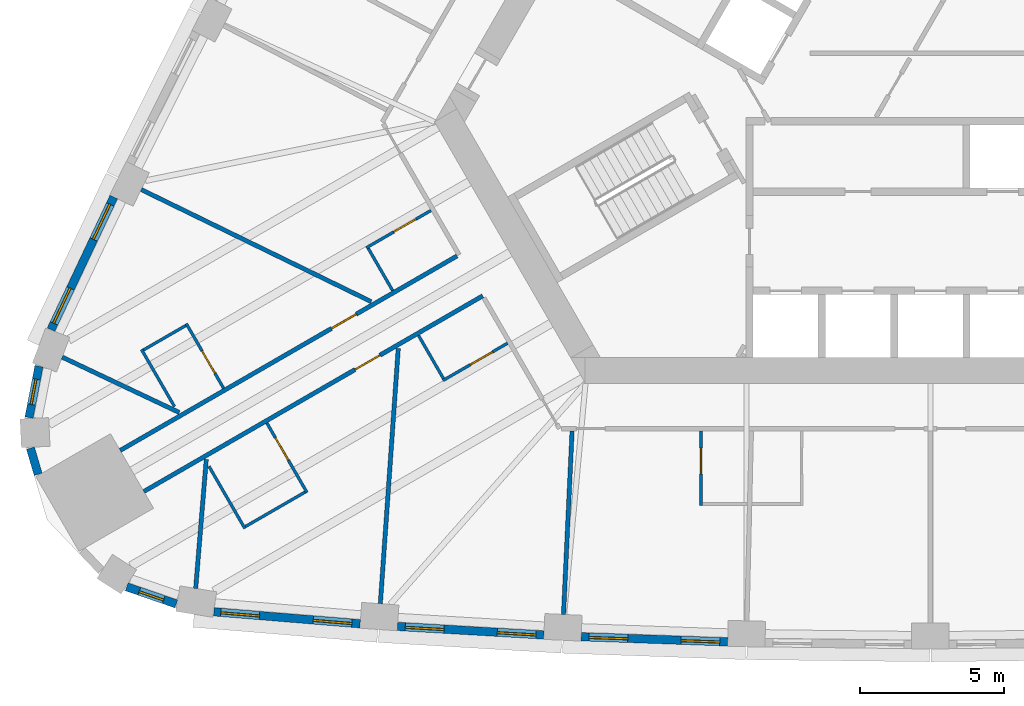
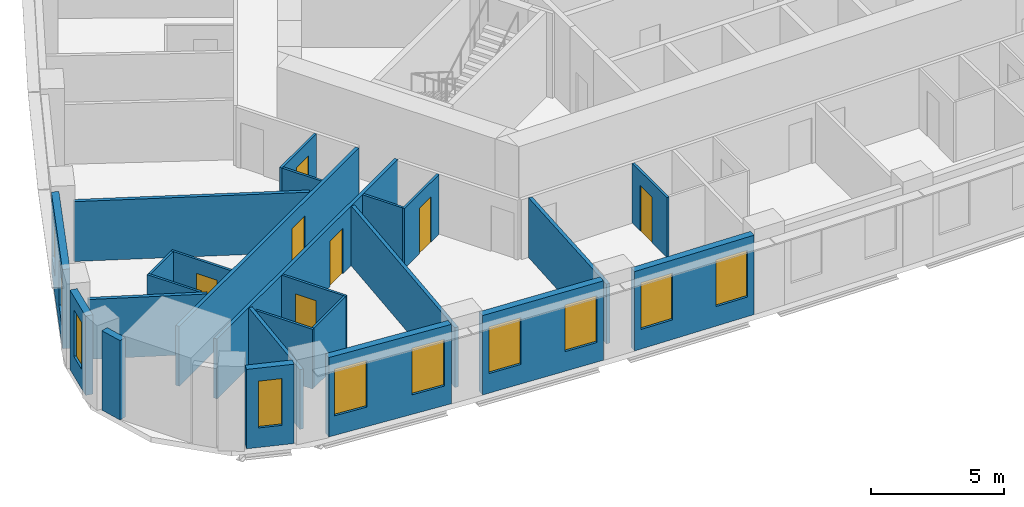
# One storey, part 3 of 13: 25 walls, 10 windows, 7 doors, 17 openings.
"""IFC4 building model written with IfcOpenShell, lengths in metres."""

from ifc_helpers import new_model, si_unit, direction, frame, frame_2d, origin, place, context, subcontext, project, spatial, rectangle, extrude, material, layer, layer_set, type_object, element, fill, save


model = new_model("IFC4")

# Units and contexts
model_context = context("Model", 3, precision=1e-05, world=origin(), true_north=direction((0.0, 1.0)))
body_context = subcontext(model_context, "Body", "Model", "MODEL_VIEW")
ifc_project = project(units=[si_unit("LENGTHUNIT", "METRE"), si_unit("AREAUNIT", "SQUARE_METRE"), si_unit("VOLUMEUNIT", "CUBIC_METRE"), si_unit("PLANEANGLEUNIT", "RADIAN"), si_unit("MASSUNIT", "GRAM", prefix="KILO")], contexts=[model_context])

# Site, building, storey
site_placement = place(None, origin())
site = spatial("IfcSite", under=ifc_project, at=site_placement, CompositionType="ELEMENT")
building_placement = place(site_placement, origin())
building = spatial("IfcBuilding", under=site, at=building_placement, Name="Mestral Congress Tower", CompositionType="ELEMENT")
storey_placement = place(building_placement, frame((0.0, 0.0, 99.300048828125)))
storey = spatial("IfcBuildingStorey", under=building, at=storey_placement, Name="L23", CompositionType="ELEMENT", Elevation=99.300048828125)

# Wall, openings, windows
ifc_material_1 = material(Name="Precast concrete C40/50 with limestone facing", Category="masonry")
ifc_layer_1 = layer(ifc_material_1, 0.2900390625)
ifc_layer_set_1 = layer_set([ifc_layer_1], Name="Precast concrete C40/50 with limestone facing")
wall_type_1 = type_object("IfcWallType", Name="Facade stone wall 290", PredefinedType="SOLIDWALL", material=ifc_layer_set_1)
wall_1_placement = place(storey_placement, frame((-24.9462890625, -20.95361328125, 0.0), z_axis=(0.0, 0.0, 1.0), x_axis=(0.99665273362, -0.081751627308, 0.0)))
wall_1 = element("IfcWall", 1, at=wall_1_placement, inside=storey, type_object=wall_type_1, Name="Facade wall F0-00", PredefinedType="SOLIDWALL", context=body_context, shape_type="SweptSolid", body=[
    extrude(rectangle(XDim=5.106689453125, YDim=0.2900390625, at=frame_2d((2.55322265625, 0.0))), origin(), (0.0, 0.0, 1.0), 3.64990234375),
])
opening_1_placement = place(wall_1_placement, frame((0.240478515625, 0.0, 0.89990234375)))
opening_1 = element("IfcOpeningElement", 2, at=opening_1_placement, cuts=wall_1, Name="Opening W2", PredefinedType="OPENING", context=body_context, shape_type="SweptSolid", body=[
    extrude(rectangle(XDim=1.35009765625, YDim=2.14990234375, at=frame_2d((0.675048828125, 1.074951171875))), frame((0.0, 0.155029296875, 0.0), z_axis=(0.0, -1.0, 0.0), x_axis=(1.0, 0.0, 0.0)), (0.0, 0.0, 1.0), 0.31005859375),
])
opening_2_placement = place(wall_1_placement, frame((3.47119140625, 0.0, 0.89990234375)))
opening_2 = element("IfcOpeningElement", 3, at=opening_2_placement, cuts=wall_1, Name="Opening W2", PredefinedType="OPENING", context=body_context, shape_type="SweptSolid", body=[
    extrude(rectangle(XDim=1.35009765625, YDim=2.14990234375, at=frame_2d((0.675048828125, 1.074951171875))), frame((0.0, 0.155029296875, 0.0), z_axis=(0.0, -1.0, 0.0), x_axis=(1.0, 0.0, 0.0)), (0.0, 0.0, 1.0), 0.31005859375),
])
ifc_material_2 = material(Name="Clear low-emissivity double glazing", Category="glass")
window_type_1 = type_object("IfcWindowType", Name="Facade punched window 1350 x 2150 sill 900", PartitioningType="DOUBLE_PANEL_VERTICAL", PredefinedType="WINDOW", material=ifc_material_2)
window_1_placement = place(opening_1_placement, origin())
window_1 = element("IfcWindow", 4, at=window_1_placement, inside=storey, type_object=window_type_1, Name="Window F0-00a", OverallHeight=2.14990234375, OverallWidth=1.35009765625, PartitioningType="DOUBLE_PANEL_VERTICAL", PredefinedType="WINDOW", context=body_context, shape_type="SweptSolid", body=[
    extrude(rectangle(XDim=1.35009765625, YDim=2.14990234375, at=frame_2d((0.675048828125, 1.074951171875))), frame((0.0, 0.01513671875, 0.0), z_axis=(0.0, -1.0, 0.0), x_axis=(1.0, 0.0, 0.0)), (0.0, 0.0, 1.0), 0.06005859375),
])
fill(opening_1, window_1)
window_2_placement = place(opening_2_placement, origin())
window_2 = element("IfcWindow", 5, at=window_2_placement, inside=storey, type_object=window_type_1, Name="Window F0-00b", OverallHeight=2.14990234375, OverallWidth=1.35009765625, PartitioningType="DOUBLE_PANEL_VERTICAL", PredefinedType="WINDOW", context=body_context, shape_type="SweptSolid", body=[
    extrude(rectangle(XDim=1.35009765625, YDim=2.14990234375, at=frame_2d((0.675048828125, 1.074951171875))), frame((0.0, 0.01513671875, 0.0), z_axis=(0.0, -1.0, 0.0), x_axis=(1.0, 0.0, 0.0)), (0.0, 0.0, 1.0), 0.06005859375),
])
fill(opening_2, window_2)

wall_2_placement = place(storey_placement, frame((-18.553466796875, -21.462890625, 0.0), z_axis=(0.0, 0.0, 1.0), x_axis=(0.998290511436, -0.058447025388, 0.0)))
wall_2 = element("IfcWall", 6, at=wall_2_placement, inside=storey, type_object=wall_type_1, Name="Facade wall F0-01", PredefinedType="SOLIDWALL", context=body_context, shape_type="SweptSolid", body=[
    extrude(rectangle(XDim=5.100341796875, YDim=0.2900390625, at=frame_2d((2.55029296875, 0.0))), origin(), (0.0, 0.0, 1.0), 3.64990234375),
])
opening_3_placement = place(wall_2_placement, frame((0.272705078125, 0.0, 0.89990234375)))
opening_3 = element("IfcOpeningElement", 7, at=opening_3_placement, cuts=wall_2, Name="Opening W2", PredefinedType="OPENING", context=body_context, shape_type="SweptSolid", body=[
    extrude(rectangle(XDim=1.35009765625, YDim=2.14990234375, at=frame_2d((0.675048828125, 1.074951171875))), frame((0.0, 0.155029296875, 0.0), z_axis=(0.0, -1.0, 0.0), x_axis=(1.0, 0.0, 0.0)), (0.0, 0.0, 1.0), 0.31005859375),
])
opening_4_placement = place(wall_2_placement, frame((3.477783203125, 0.0, 0.89990234375)))
opening_4 = element("IfcOpeningElement", 8, at=opening_4_placement, cuts=wall_2, Name="Opening W2", PredefinedType="OPENING", context=body_context, shape_type="SweptSolid", body=[
    extrude(rectangle(XDim=1.35009765625, YDim=2.14990234375, at=frame_2d((0.675048828125, 1.074951171875))), frame((0.0, 0.155029296875, 0.0), z_axis=(0.0, -1.0, 0.0), x_axis=(1.0, 0.0, 0.0)), (0.0, 0.0, 1.0), 0.31005859375),
])
window_3_placement = place(opening_3_placement, origin())
window_3 = element("IfcWindow", 9, at=window_3_placement, inside=storey, type_object=window_type_1, Name="Window F0-01a", OverallHeight=2.14990234375, OverallWidth=1.35009765625, PartitioningType="DOUBLE_PANEL_VERTICAL", PredefinedType="WINDOW", context=body_context, shape_type="SweptSolid", body=[
    extrude(rectangle(XDim=1.35009765625, YDim=2.14990234375, at=frame_2d((0.675048828125, 1.074951171875))), frame((0.0, 0.01513671875, 0.0), z_axis=(0.0, -1.0, 0.0), x_axis=(1.0, 0.0, 0.0)), (0.0, 0.0, 1.0), 0.06005859375),
])
fill(opening_3, window_3)
window_4_placement = place(opening_4_placement, origin())
window_4 = element("IfcWindow", 10, at=window_4_placement, inside=storey, type_object=window_type_1, Name="Window F0-01b", OverallHeight=2.14990234375, OverallWidth=1.35009765625, PartitioningType="DOUBLE_PANEL_VERTICAL", PredefinedType="WINDOW", context=body_context, shape_type="SweptSolid", body=[
    extrude(rectangle(XDim=1.35009765625, YDim=2.14990234375, at=frame_2d((0.675048828125, 1.074951171875))), frame((0.0, 0.01513671875, 0.0), z_axis=(0.0, -1.0, 0.0), x_axis=(1.0, 0.0, 0.0)), (0.0, 0.0, 1.0), 0.06005859375),
])
fill(opening_4, window_4)

wall_3_placement = place(storey_placement, frame((-12.15673828125, -21.822021484375, 0.0), z_axis=(0.0, 0.0, 1.0), x_axis=(0.999385993957, -0.035037623812, 0.0)))
wall_3 = element("IfcWall", 11, at=wall_3_placement, inside=storey, type_object=wall_type_1, Name="Facade wall F0-02", PredefinedType="SOLIDWALL", context=body_context, shape_type="SweptSolid", body=[
    extrude(rectangle(XDim=5.1005859375, YDim=0.2900390625, at=frame_2d((2.55029296875, 0.0))), origin(), (0.0, 0.0, 1.0), 3.64990234375),
])
opening_5_placement = place(wall_3_placement, frame((0.272705078125, 0.0, 0.89990234375)))
opening_5 = element("IfcOpeningElement", 12, at=opening_5_placement, cuts=wall_3, Name="Opening W2", PredefinedType="OPENING", context=body_context, shape_type="SweptSolid", body=[
    extrude(rectangle(XDim=1.35009765625, YDim=2.14990234375, at=frame_2d((0.675048828125, 1.074951171875))), frame((0.0, 0.155029296875, 0.0), z_axis=(0.0, -1.0, 0.0), x_axis=(1.0, 0.0, 0.0)), (0.0, 0.0, 1.0), 0.31005859375),
])
opening_6_placement = place(wall_3_placement, frame((3.477783203125, 0.0, 0.89990234375)))
opening_6 = element("IfcOpeningElement", 13, at=opening_6_placement, cuts=wall_3, Name="Opening W2", PredefinedType="OPENING", context=body_context, shape_type="SweptSolid", body=[
    extrude(rectangle(XDim=1.35009765625, YDim=2.14990234375, at=frame_2d((0.675048828125, 1.074951171875))), frame((0.0, 0.155029296875, 0.0), z_axis=(0.0, -1.0, 0.0), x_axis=(1.0, 0.0, 0.0)), (0.0, 0.0, 1.0), 0.31005859375),
])
window_5_placement = place(opening_5_placement, origin())
window_5 = element("IfcWindow", 14, at=window_5_placement, inside=storey, type_object=window_type_1, Name="Window F0-02a", OverallHeight=2.14990234375, OverallWidth=1.35009765625, PartitioningType="DOUBLE_PANEL_VERTICAL", PredefinedType="WINDOW", context=body_context, shape_type="SweptSolid", body=[
    extrude(rectangle(XDim=1.35009765625, YDim=2.14990234375, at=frame_2d((0.675048828125, 1.074951171875))), frame((0.0, 0.01513671875, 0.0), z_axis=(0.0, -1.0, 0.0), x_axis=(1.0, 0.0, 0.0)), (0.0, 0.0, 1.0), 0.06005859375),
])
fill(opening_5, window_5)
window_6_placement = place(opening_6_placement, origin())
window_6 = element("IfcWindow", 15, at=window_6_placement, inside=storey, type_object=window_type_1, Name="Window F0-02b", OverallHeight=2.14990234375, OverallWidth=1.35009765625, PartitioningType="DOUBLE_PANEL_VERTICAL", PredefinedType="WINDOW", context=body_context, shape_type="SweptSolid", body=[
    extrude(rectangle(XDim=1.35009765625, YDim=2.14990234375, at=frame_2d((0.675048828125, 1.074951171875))), frame((0.0, 0.01513671875, 0.0), z_axis=(0.0, -1.0, 0.0), x_axis=(1.0, 0.0, 0.0)), (0.0, 0.0, 1.0), 0.06005859375),
])
fill(opening_6, window_6)

wall_4_placement = place(storey_placement, frame((-28.436279296875, -6.5107421875, 0.0), z_axis=(0.0, 0.0, 1.0), x_axis=(-0.427543726596, -0.903994669148, 0.0)))
wall_4 = element("IfcWall", 16, at=wall_4_placement, inside=storey, type_object=wall_type_1, Name="Facade wall F2-07", PredefinedType="SOLIDWALL", context=body_context, shape_type="SweptSolid", body=[
    extrude(rectangle(XDim=5.106689453125, YDim=0.2900390625, at=frame_2d((2.55322265625, 0.0))), origin(), (0.0, 0.0, 1.0), 3.64990234375),
])
opening_7_placement = place(wall_4_placement, frame((0.285400390625, 0.0, 0.89990234375)))
opening_7 = element("IfcOpeningElement", 17, at=opening_7_placement, cuts=wall_4, Name="Opening W2", PredefinedType="OPENING", context=body_context, shape_type="SweptSolid", body=[
    extrude(rectangle(XDim=1.35009765625, YDim=2.14990234375, at=frame_2d((0.675048828125, 1.074951171875))), frame((0.0, 0.155029296875, 0.0), z_axis=(0.0, -1.0, 0.0), x_axis=(1.0, 0.0, 0.0)), (0.0, 0.0, 1.0), 0.31005859375),
])
opening_8_placement = place(wall_4_placement, frame((3.516357421875, 0.0, 0.89990234375)))
opening_8 = element("IfcOpeningElement", 18, at=opening_8_placement, cuts=wall_4, Name="Opening W2", PredefinedType="OPENING", context=body_context, shape_type="SweptSolid", body=[
    extrude(rectangle(XDim=1.35009765625, YDim=2.14990234375, at=frame_2d((0.675048828125, 1.074951171875))), frame((0.0, 0.155029296875, 0.0), z_axis=(0.0, -1.0, 0.0), x_axis=(1.0, 0.0, 0.0)), (0.0, 0.0, 1.0), 0.31005859375),
])
window_7_placement = place(opening_7_placement, origin())
window_7 = element("IfcWindow", 19, at=window_7_placement, inside=storey, type_object=window_type_1, Name="Window F2-07a", OverallHeight=2.14990234375, OverallWidth=1.35009765625, PartitioningType="DOUBLE_PANEL_VERTICAL", PredefinedType="WINDOW", context=body_context, shape_type="SweptSolid", body=[
    extrude(rectangle(XDim=1.35009765625, YDim=2.14990234375, at=frame_2d((0.675048828125, 1.074951171875))), frame((0.0, 0.01513671875, 0.0), z_axis=(0.0, -1.0, 0.0), x_axis=(1.0, 0.0, 0.0)), (0.0, 0.0, 1.0), 0.06005859375),
])
fill(opening_7, window_7)
window_8_placement = place(opening_8_placement, origin())
window_8 = element("IfcWindow", 20, at=window_8_placement, inside=storey, type_object=window_type_1, Name="Window F2-07b", OverallHeight=2.14990234375, OverallWidth=1.35009765625, PartitioningType="DOUBLE_PANEL_VERTICAL", PredefinedType="WINDOW", context=body_context, shape_type="SweptSolid", body=[
    extrude(rectangle(XDim=1.35009765625, YDim=2.14990234375, at=frame_2d((0.675048828125, 1.074951171875))), frame((0.0, 0.01513671875, 0.0), z_axis=(0.0, -1.0, 0.0), x_axis=(1.0, 0.0, 0.0)), (0.0, 0.0, 1.0), 0.06005859375),
])
fill(opening_8, window_8)

# Wall, opening, window
wall_5_placement = place(storey_placement, frame((-31.0390625, -12.403076171875, 0.0), z_axis=(0.0, 0.0, 1.0), x_axis=(-0.190409913989, -0.981704672829, 0.0)))
wall_5 = element("IfcWall", 21, at=wall_5_placement, inside=storey, type_object=wall_type_1, Name="Facade wall K2-0", PredefinedType="SOLIDWALL", context=body_context, shape_type="SweptSolid", body=[
    extrude(rectangle(XDim=1.8193359375, YDim=0.2900390625, at=frame_2d((0.90966796875, 0.0))), origin(), (0.0, 0.0, 1.0), 3.64990234375),
])
opening_9_placement = place(wall_5_placement, frame((0.459716796875, 0.0, 0.89990234375)))
opening_9 = element("IfcOpeningElement", 22, at=opening_9_placement, cuts=wall_5, Name="Opening W3", PredefinedType="OPENING", context=body_context, shape_type="SweptSolid", body=[
    extrude(rectangle(XDim=0.89990234375, YDim=2.14990234375, at=frame_2d((0.449951171875, 1.074951171875))), frame((0.0, 0.155029296875, 0.0), z_axis=(0.0, -1.0, 0.0), x_axis=(1.0, 0.0, 0.0)), (0.0, 0.0, 1.0), 0.31005859375),
])
window_type_2 = type_object("IfcWindowType", Name="Facade punched window 900 x 2150 sill 900", PartitioningType="SINGLE_PANEL", PredefinedType="WINDOW", material=ifc_material_2)
window_9_placement = place(opening_9_placement, origin())
window_9 = element("IfcWindow", 23, at=window_9_placement, inside=storey, type_object=window_type_2, Name="Window K2-0", OverallHeight=2.14990234375, OverallWidth=0.89990234375, PartitioningType="SINGLE_PANEL", PredefinedType="WINDOW", context=body_context, shape_type="SweptSolid", body=[
    extrude(rectangle(XDim=0.89990234375, YDim=2.14990234375, at=frame_2d((0.449951171875, 1.074951171875))), frame((0.0, 0.01513671875, 0.0), z_axis=(0.0, -1.0, 0.0), x_axis=(1.0, 0.0, 0.0)), (0.0, 0.0, 1.0), 0.06005859375),
])
fill(opening_9, window_9)

# Wall
wall_6_placement = place(storey_placement, frame((-31.335693359375, -15.25634765625, 0.0), z_axis=(0.0, 0.0, 1.0), x_axis=(0.281454582132, -0.95957455062, 0.0)))
element("IfcWall", 24, at=wall_6_placement, inside=storey, type_object=wall_type_1, Name="Facade wall K2-1", PredefinedType="SOLIDWALL", context=body_context, shape_type="SweptSolid", body=[
    extrude(rectangle(XDim=0.947265625, YDim=0.2900390625, at=frame_2d((0.4736328125, 0.0))), origin(), (0.0, 0.0, 1.0), 3.64990234375),
])

# Wall, opening, window
wall_7_placement = place(storey_placement, frame((-27.98095703125, -20.086181640625, 0.0), z_axis=(0.0, 0.0, 1.0), x_axis=(0.945385815453, -0.325953462844, 0.0)))
wall_7 = element("IfcWall", 25, at=wall_7_placement, inside=storey, type_object=wall_type_1, Name="Facade wall K2-3", PredefinedType="SOLIDWALL", context=body_context, shape_type="SweptSolid", body=[
    extrude(rectangle(XDim=1.8193359375, YDim=0.2900390625, at=frame_2d((0.90966796875, 0.0))), origin(), (0.0, 0.0, 1.0), 3.64990234375),
])
opening_10_placement = place(wall_7_placement, frame((0.459716796875, 0.0, 0.89990234375)))
opening_10 = element("IfcOpeningElement", 26, at=opening_10_placement, cuts=wall_7, Name="Opening W3", PredefinedType="OPENING", context=body_context, shape_type="SweptSolid", body=[
    extrude(rectangle(XDim=0.89990234375, YDim=2.14990234375, at=frame_2d((0.449951171875, 1.074951171875))), frame((0.0, 0.155029296875, 0.0), z_axis=(0.0, -1.0, 0.0), x_axis=(1.0, 0.0, 0.0)), (0.0, 0.0, 1.0), 0.31005859375),
])
window_10_placement = place(opening_10_placement, origin())
window_10 = element("IfcWindow", 27, at=window_10_placement, inside=storey, type_object=window_type_2, Name="Window K2-3", OverallHeight=2.14990234375, OverallWidth=0.89990234375, PartitioningType="SINGLE_PANEL", PredefinedType="WINDOW", context=body_context, shape_type="SweptSolid", body=[
    extrude(rectangle(XDim=0.89990234375, YDim=2.14990234375, at=frame_2d((0.449951171875, 1.074951171875))), frame((0.0, 0.01513671875, 0.0), z_axis=(0.0, -1.0, 0.0), x_axis=(1.0, 0.0, 0.0)), (0.0, 0.0, 1.0), 0.06005859375),
])
fill(opening_10, window_10)

# Wall, opening, door
ifc_material_3 = material(Name="Gypsum board partition on metal studs with mineral wool", Category="composite")
ifc_layer_2 = layer(ifc_material_3, 0.10009765625)
ifc_layer_set_2 = layer_set([ifc_layer_2], Name="Gypsum board partition on metal studs with mineral wool")
wall_type_2 = type_object("IfcWallType", Name="Hotel partition wall 100", PredefinedType="PARTITIONING", material=ifc_layer_set_2)
wall_8_placement = place(storey_placement, frame((-21.703857421875, -16.802978515625, 0.0), z_axis=(0.0, 0.0, 1.0), x_axis=(-0.500049511043, 0.865996816683, 0.0)))
wall_8 = element("IfcWall", 28, at=wall_8_placement, inside=storey, type_object=wall_type_2, Name="L23-h-pod01a", PredefinedType="PARTITIONING", context=body_context, shape_type="SweptSolid", body=[
    extrude(rectangle(XDim=2.800048828125, YDim=0.10009765625, at=frame_2d((1.39990234375, 0.0))), origin(), (0.0, 0.0, 1.0), 2.75),
])
opening_11_placement = place(wall_8_placement, frame((1.300048828125, 0.0, 0.0)))
opening_11 = element("IfcOpeningElement", 29, at=opening_11_placement, cuts=wall_8, Name="Opening H07-002", PredefinedType="OPENING", context=body_context, shape_type="SweptSolid", body=[
    extrude(rectangle(XDim=0.89990234375, YDim=2.10009765625, at=frame_2d((0.449951171875, 1.050048828125))), frame((0.0, 0.06005859375, 0.0), z_axis=(0.0, -1.0, 0.0), x_axis=(1.0, 0.0, 0.0)), (0.0, 0.0, 1.0), 0.1201171875),
])
ifc_material_4 = material(Name="Timber veneer door leaf in timber frame", Category="wood")
door_type_1 = type_object("IfcDoorType", Name="Bathroom door 900", OperationType="SINGLE_SWING_LEFT", PredefinedType="DOOR", material=ifc_material_4)
door_1_placement = place(opening_11_placement, origin())
door_1 = element("IfcDoor", 30, at=door_1_placement, inside=storey, type_object=door_type_1, Name="L23-h-d002", OperationType="SINGLE_SWING_LEFT", OverallHeight=2.10009765625, OverallWidth=0.89990234375, PredefinedType="DOOR", context=body_context, shape_type="SweptSolid", body=[
    extrude(rectangle(XDim=0.89990234375, YDim=2.10009765625, at=frame_2d((0.449951171875, 1.050048828125))), frame((0.0, 0.02490234375, 0.0), z_axis=(0.0, -1.0, 0.0), x_axis=(1.0, 0.0, 0.0)), (0.0, 0.0, 1.0), 0.050048828125),
])
fill(opening_11, door_1)

# Walls
wall_9_placement = place(storey_placement, frame((-21.772216796875, -16.784912109375, 0.0), z_axis=(0.0, 0.0, 1.0), x_axis=(-0.866024647952, -0.500001309137, 0.0)))
element("IfcWall", 31, at=wall_9_placement, inside=storey, type_object=wall_type_2, Name="L23-h-pod01b", PredefinedType="PARTITIONING", context=body_context, shape_type="SweptSolid", body=[
    extrude(rectangle(XDim=2.39990234375, YDim=0.10009765625, at=frame_2d((1.199951171875, 0.0))), origin(), (0.0, 0.0, 1.0), 2.75),
])
wall_10_placement = place(storey_placement, frame((-25.118896484375, -15.88818359375, 0.0), z_axis=(0.0, 0.0, 1.0), x_axis=(0.500046524342, -0.865998541277, 0.0)))
element("IfcWall", 32, at=wall_10_placement, inside=storey, type_object=wall_type_2, Name="L23-h-pod01c", PredefinedType="PARTITIONING", context=body_context, shape_type="SweptSolid", body=[
    extrude(rectangle(XDim=2.499755859375, YDim=0.10009765625, at=frame_2d((1.25, 0.0))), origin(), (0.0, 0.0, 1.0), 2.75),
])

# Wall, opening, door
wall_11_placement = place(storey_placement, frame((-16.973876953125, -12.900390625, 0.0), z_axis=(0.0, 0.0, 1.0), x_axis=(0.865997922154, 0.500047596559, 0.0)))
wall_11 = element("IfcWall", 33, at=wall_11_placement, inside=storey, type_object=wall_type_2, Name="L23-h-pod02a", PredefinedType="PARTITIONING", context=body_context, shape_type="SweptSolid", body=[
    extrude(rectangle(XDim=2.599853515625, YDim=0.10009765625, at=frame_2d((1.2998046875, 0.0))), origin(), (0.0, 0.0, 1.0), 2.75),
])
opening_12_placement = place(wall_11_placement, frame((1.10009765625, 0.0, 0.0)))
opening_12 = element("IfcOpeningElement", 34, at=opening_12_placement, cuts=wall_11, Name="Opening H07-004", PredefinedType="OPENING", context=body_context, shape_type="SweptSolid", body=[
    extrude(rectangle(XDim=0.89990234375, YDim=2.10009765625, at=frame_2d((0.449951171875, 1.050048828125))), frame((0.0, 0.06005859375, 0.0), z_axis=(0.0, -1.0, 0.0), x_axis=(1.0, 0.0, 0.0)), (0.0, 0.0, 1.0), 0.1201171875),
])
door_2_placement = place(opening_12_placement, origin())
door_2 = element("IfcDoor", 35, at=door_2_placement, inside=storey, type_object=door_type_1, Name="L23-h-d004", OperationType="SINGLE_SWING_LEFT", OverallHeight=2.10009765625, OverallWidth=0.89990234375, PredefinedType="DOOR", context=body_context, shape_type="SweptSolid", body=[
    extrude(rectangle(XDim=0.89990234375, YDim=2.10009765625, at=frame_2d((0.449951171875, 1.050048828125))), frame((0.0, 0.02490234375, 0.0), z_axis=(0.0, -1.0, 0.0), x_axis=(1.0, 0.0, 0.0)), (0.0, 0.0, 1.0), 0.050048828125),
])
fill(opening_12, door_2)

# Wall
wall_12_placement = place(storey_placement, frame((-16.95556640625, -12.83203125, 0.0), z_axis=(0.0, 0.0, 1.0), x_axis=(-0.499978980201, 0.866037539231, 0.0)))
element("IfcWall", 36, at=wall_12_placement, inside=storey, type_object=wall_type_2, Name="L23-h-pod02b", PredefinedType="PARTITIONING", context=body_context, shape_type="SweptSolid", body=[
    extrude(rectangle(XDim=1.72998046875, YDim=0.10009765625, at=frame_2d((0.864990234375, 0.0))), origin(), (0.0, 0.0, 1.0), 2.75),
])

# Wall, opening, door
wall_13_placement = place(storey_placement, frame((-7.98779296875, -14.64990234375, 0.0), z_axis=(0.0, 0.0, 1.0), x_axis=(0.0, -1.0, 0.0)))
wall_13 = element("IfcWall", 37, at=wall_13_placement, inside=storey, type_object=wall_type_2, Name="L23-h-pod03a", PredefinedType="PARTITIONING", context=body_context, shape_type="SweptSolid", body=[
    extrude(rectangle(XDim=2.60009765625, YDim=0.10009765625, at=frame_2d((1.300048828125, 0.0))), origin(), (0.0, 0.0, 1.0), 2.75),
])
opening_13_placement = place(wall_13_placement, frame((0.60009765625, 0.0, 0.0)))
opening_13 = element("IfcOpeningElement", 38, at=opening_13_placement, cuts=wall_13, Name="Opening H07-006", PredefinedType="OPENING", context=body_context, shape_type="SweptSolid", body=[
    extrude(rectangle(XDim=0.89990234375, YDim=2.10009765625, at=frame_2d((0.449951171875, 1.050048828125))), frame((0.0, 0.06005859375, 0.0), z_axis=(0.0, -1.0, 0.0), x_axis=(1.0, 0.0, 0.0)), (0.0, 0.0, 1.0), 0.1201171875),
])
door_3_placement = place(opening_13_placement, origin())
door_3 = element("IfcDoor", 39, at=door_3_placement, inside=storey, type_object=door_type_1, Name="L23-h-d006", OperationType="SINGLE_SWING_RIGHT", OverallHeight=2.10009765625, OverallWidth=0.89990234375, PredefinedType="DOOR", context=body_context, shape_type="SweptSolid", body=[
    extrude(rectangle(XDim=0.89990234375, YDim=2.10009765625, at=frame_2d((0.449951171875, 1.050048828125))), frame((0.0, 0.02490234375, 0.0), z_axis=(0.0, -1.0, 0.0), x_axis=(1.0, 0.0, 0.0)), (0.0, 0.0, 1.0), 0.050048828125),
])
fill(opening_13, door_3)

wall_14_placement = place(storey_placement, frame((-17.390380859375, -6.97900390625, 0.0), z_axis=(0.0, 0.0, 1.0), x_axis=(-0.866021400173, -0.500006934395, 0.0)))
wall_14 = element("IfcWall", 40, at=wall_14_placement, inside=storey, type_object=wall_type_2, Name="L23-h-pod25a", PredefinedType="PARTITIONING", context=body_context, shape_type="SweptSolid", body=[
    extrude(rectangle(XDim=2.60009765625, YDim=0.10009765625, at=frame_2d((1.300048828125, 0.0))), origin(), (0.0, 0.0, 1.0), 2.75),
])
opening_14_placement = place(wall_14_placement, frame((0.60009765625, 0.0, 0.0)))
opening_14 = element("IfcOpeningElement", 41, at=opening_14_placement, cuts=wall_14, Name="Opening H07-047", PredefinedType="OPENING", context=body_context, shape_type="SweptSolid", body=[
    extrude(rectangle(XDim=0.89990234375, YDim=2.10009765625, at=frame_2d((0.449951171875, 1.050048828125))), frame((0.0, 0.06005859375, 0.0), z_axis=(0.0, -1.0, 0.0), x_axis=(1.0, 0.0, 0.0)), (0.0, 0.0, 1.0), 0.1201171875),
])
door_4_placement = place(opening_14_placement, origin())
door_4 = element("IfcDoor", 42, at=door_4_placement, inside=storey, type_object=door_type_1, Name="L23-h-d047", OperationType="SINGLE_SWING_LEFT", OverallHeight=2.10009765625, OverallWidth=0.89990234375, PredefinedType="DOOR", context=body_context, shape_type="SweptSolid", body=[
    extrude(rectangle(XDim=0.89990234375, YDim=2.10009765625, at=frame_2d((0.449951171875, 1.050048828125))), frame((0.0, 0.02490234375, 0.0), z_axis=(0.0, -1.0, 0.0), x_axis=(1.0, 0.0, 0.0)), (0.0, 0.0, 1.0), 0.050048828125),
])
fill(opening_14, door_4)

# Wall
wall_15_placement = place(storey_placement, frame((-19.57373046875, -8.29736328125, 0.0), z_axis=(0.0, 0.0, 1.0), x_axis=(0.500062241894, -0.865989465428, 0.0)))
element("IfcWall", 43, at=wall_15_placement, inside=storey, type_object=wall_type_2, Name="L23-h-pod25b", PredefinedType="PARTITIONING", context=body_context, shape_type="SweptSolid", body=[
    extrude(rectangle(XDim=1.699951171875, YDim=0.10009765625, at=frame_2d((0.85009765625, 0.0))), origin(), (0.0, 0.0, 1.0), 2.75),
])

# Wall, opening, door
wall_16_placement = place(storey_placement, frame((-24.610107421875, -13.16943359375, 0.0), z_axis=(0.0, 0.0, 1.0), x_axis=(-0.500006934395, 0.866021400173, 0.0)))
wall_16 = element("IfcWall", 44, at=wall_16_placement, inside=storey, type_object=wall_type_2, Name="L23-h-pod26a", PredefinedType="PARTITIONING", context=body_context, shape_type="SweptSolid", body=[
    extrude(rectangle(XDim=2.60009765625, YDim=0.10009765625, at=frame_2d((1.300048828125, 0.0))), origin(), (0.0, 0.0, 1.0), 2.75),
])
opening_15_placement = place(wall_16_placement, frame((0.60009765625, 0.0, 0.0)))
opening_15 = element("IfcOpeningElement", 45, at=opening_15_placement, cuts=wall_16, Name="Opening H07-049", PredefinedType="OPENING", context=body_context, shape_type="SweptSolid", body=[
    extrude(rectangle(XDim=0.89990234375, YDim=2.10009765625, at=frame_2d((0.449951171875, 1.050048828125))), frame((0.0, 0.06005859375, 0.0), z_axis=(0.0, -1.0, 0.0), x_axis=(1.0, 0.0, 0.0)), (0.0, 0.0, 1.0), 0.1201171875),
])
door_5_placement = place(opening_15_placement, origin())
door_5 = element("IfcDoor", 46, at=door_5_placement, inside=storey, type_object=door_type_1, Name="L23-h-d049", OperationType="SINGLE_SWING_LEFT", OverallHeight=2.10009765625, OverallWidth=0.89990234375, PredefinedType="DOOR", context=body_context, shape_type="SweptSolid", body=[
    extrude(rectangle(XDim=0.89990234375, YDim=2.10009765625, at=frame_2d((0.449951171875, 1.050048828125))), frame((0.0, 0.02490234375, 0.0), z_axis=(0.0, -1.0, 0.0), x_axis=(1.0, 0.0, 0.0)), (0.0, 0.0, 1.0), 0.050048828125),
])
fill(opening_15, door_5)

# Walls
wall_17_placement = place(storey_placement, frame((-25.928466796875, -10.986083984375, 0.0), z_axis=(0.0, 0.0, 1.0), x_axis=(-0.865989465428, -0.500062241894, 0.0)))
element("IfcWall", 47, at=wall_17_placement, inside=storey, type_object=wall_type_2, Name="L23-h-pod26b", PredefinedType="PARTITIONING", context=body_context, shape_type="SweptSolid", body=[
    extrude(rectangle(XDim=1.699951171875, YDim=0.10009765625, at=frame_2d((0.85009765625, 0.0))), origin(), (0.0, 0.0, 1.0), 2.75),
])
wall_18_placement = place(storey_placement, frame((-26.319091796875, -13.809814453125, 0.0), z_axis=(0.0, 0.0, 1.0), x_axis=(-0.499952165731, 0.866053019151, 0.0)))
element("IfcWall", 48, at=wall_18_placement, inside=storey, type_object=wall_type_2, Name="L23-h-pod26c", PredefinedType="PARTITIONING", context=body_context, shape_type="SweptSolid", body=[
    extrude(rectangle(XDim=2.300048828125, YDim=0.10009765625, at=frame_2d((1.14990234375, 0.0))), origin(), (0.0, 0.0, 1.0), 2.75),
])

# Wall, opening, door
ifc_layer_3 = layer(ifc_material_3, 0.14990234375)
ifc_layer_set_3 = layer_set([ifc_layer_3], Name="Gypsum board partition on metal studs with mineral wool")
wall_type_3 = type_object("IfcWallType", Name="Hotel partition wall 150", PredefinedType="PARTITIONING", material=ifc_layer_set_3)
wall_19_placement = place(storey_placement, frame((-28.210693359375, -15.334716796875, 0.0), z_axis=(0.0, 0.0, 1.0), x_axis=(0.866025884867, 0.49999916674, 0.0)))
wall_19 = element("IfcWall", 49, at=wall_19_placement, inside=storey, type_object=wall_type_3, Name="L23-h-cw10", PredefinedType="PARTITIONING", context=body_context, shape_type="SweptSolid", body=[
    extrude(rectangle(XDim=13.54345703125, YDim=0.14990234375, at=frame_2d((6.771728515625, 0.0))), origin(), (0.0, 0.0, 1.0), 2.75),
])
opening_16_placement = place(wall_19_placement, frame((8.48828125, 0.0, 0.0)))
opening_16 = element("IfcOpeningElement", 50, at=opening_16_placement, cuts=wall_19, Name="Opening H07-048", PredefinedType="OPENING", context=body_context, shape_type="SweptSolid", body=[
    extrude(rectangle(XDim=1.0, YDim=2.10009765625, at=frame_2d((0.5, 1.050048828125))), frame((0.0, 0.0849609375, 0.0), z_axis=(0.0, -1.0, 0.0), x_axis=(1.0, 0.0, 0.0)), (0.0, 0.0, 1.0), 0.169921875),
])
ifc_material_5 = material(Name="Timber veneer door leaf in metal frame", Category="wood")
door_type_2 = type_object("IfcDoorType", Name="Guest room entrance door 1000", OperationType="SINGLE_SWING_LEFT", PredefinedType="DOOR", material=ifc_material_5)
door_6_placement = place(opening_16_placement, origin())
door_6 = element("IfcDoor", 51, at=door_6_placement, inside=storey, type_object=door_type_2, Name="L23-h-d048", OperationType="SINGLE_SWING_RIGHT", OverallHeight=2.10009765625, OverallWidth=1.0, PredefinedType="DOOR", context=body_context, shape_type="SweptSolid", body=[
    extrude(rectangle(XDim=1.0, YDim=2.10009765625, at=frame_2d((0.5, 1.050048828125))), frame((0.0, 0.02490234375, 0.0), z_axis=(0.0, -1.0, 0.0), x_axis=(1.0, 0.0, 0.0)), (0.0, 0.0, 1.0), 0.050048828125),
])
fill(opening_16, door_6)

wall_20_placement = place(storey_placement, frame((-15.58740234375, -9.951904296875, 0.0), z_axis=(0.0, 0.0, 1.0), x_axis=(-0.866017869832, -0.500013048961, 0.0)))
wall_20 = element("IfcWall", 52, at=wall_20_placement, inside=storey, type_object=wall_type_3, Name="L23-h-cw11", PredefinedType="PARTITIONING", context=body_context, shape_type="SweptSolid", body=[
    extrude(rectangle(XDim=13.623779296875, YDim=0.14990234375, at=frame_2d((6.81201171875, 0.0))), origin(), (0.0, 0.0, 1.0), 2.75),
])
opening_17_placement = place(wall_20_placement, frame((4.1337890625, 0.0, 0.0)))
opening_17 = element("IfcOpeningElement", 53, at=opening_17_placement, cuts=wall_20, Name="Opening H07-001", PredefinedType="OPENING", context=body_context, shape_type="SweptSolid", body=[
    extrude(rectangle(XDim=1.0, YDim=2.10009765625, at=frame_2d((0.5, 1.050048828125))), frame((0.0, 0.0849609375, 0.0), z_axis=(0.0, -1.0, 0.0), x_axis=(1.0, 0.0, 0.0)), (0.0, 0.0, 1.0), 0.169921875),
])
door_7_placement = place(opening_17_placement, origin())
door_7 = element("IfcDoor", 54, at=door_7_placement, inside=storey, type_object=door_type_2, Name="L23-h-d001", OperationType="SINGLE_SWING_LEFT", OverallHeight=2.10009765625, OverallWidth=1.0, PredefinedType="DOOR", context=body_context, shape_type="SweptSolid", body=[
    extrude(rectangle(XDim=1.0, YDim=2.10009765625, at=frame_2d((0.5, 1.050048828125))), frame((0.0, 0.02490234375, 0.0), z_axis=(0.0, -1.0, 0.0), x_axis=(1.0, 0.0, 0.0)), (0.0, 0.0, 1.0), 0.050048828125),
])
fill(opening_17, door_7)

# Walls
wall_21_placement = place(storey_placement, frame((-30.23095703125, -12.08544921875, 0.0), z_axis=(0.0, 0.0, 1.0), x_axis=(0.904001132572, -0.427530060122, 0.0)))
element("IfcWall", 55, at=wall_21_placement, inside=storey, type_object=wall_type_3, Name="L23-h-pw01", PredefinedType="PARTITIONING", context=body_context, shape_type="SweptSolid", body=[
    extrude(rectangle(XDim=4.509521484375, YDim=0.14990234375, at=frame_2d((2.2548828125, 0.0))), origin(), (0.0, 0.0, 1.0), 2.75),
])
wall_22_placement = place(storey_placement, frame((-25.581787109375, -20.13818359375, 0.0), z_axis=(0.0, 0.0, 1.0), x_axis=(0.081746132986, 0.996653184283, 0.0)))
element("IfcWall", 56, at=wall_22_placement, inside=storey, type_object=wall_type_3, Name="L23-h-pw02", PredefinedType="PARTITIONING", context=body_context, shape_type="SweptSolid", body=[
    extrude(rectangle(XDim=4.509765625, YDim=0.14990234375, at=frame_2d((2.2548828125, 0.0))), origin(), (0.0, 0.0, 1.0), 2.75),
])
wall_23_placement = place(storey_placement, frame((-27.478515625, -6.2509765625, 0.0), z_axis=(0.0, 0.0, 1.0), x_axis=(0.898945877276, -0.438059710231, 0.0)))
element("IfcWall", 57, at=wall_23_placement, inside=storey, type_object=wall_type_3, Name="L23-h-pw03", PredefinedType="PARTITIONING", context=body_context, shape_type="SweptSolid", body=[
    extrude(rectangle(XDim=8.909423828125, YDim=0.14990234375, at=frame_2d((4.45458984375, 0.0))), origin(), (0.0, 0.0, 1.0), 2.75),
])
wall_24_placement = place(storey_placement, frame((-19.152587890625, -20.67138671875, 0.0), z_axis=(0.0, 0.0, 1.0), x_axis=(0.070070736723, 0.997542025107, 0.0)))
element("IfcWall", 58, at=wall_24_placement, inside=storey, type_object=wall_type_3, Name="L23-h-pw05", PredefinedType="PARTITIONING", context=body_context, shape_type="SweptSolid", body=[
    extrude(rectangle(XDim=8.9091796875, YDim=0.14990234375, at=frame_2d((4.45458984375, 0.0))), origin(), (0.0, 0.0, 1.0), 2.75),
])
wall_25_placement = place(storey_placement, frame((-12.7744140625, -21.044921875, 0.0), z_axis=(0.0, 0.0, 1.0), x_axis=(0.046750341626, 0.998906605023, 0.0)))
element("IfcWall", 59, at=wall_25_placement, inside=storey, type_object=wall_type_3, Name="L23-h-pw08", PredefinedType="PARTITIONING", context=body_context, shape_type="SweptSolid", body=[
    extrude(rectangle(XDim=6.39208984375, YDim=0.14990234375, at=frame_2d((3.196044921875, 0.0))), origin(), (0.0, 0.0, 1.0), 2.75),
])

save(model, "model.ifc")
